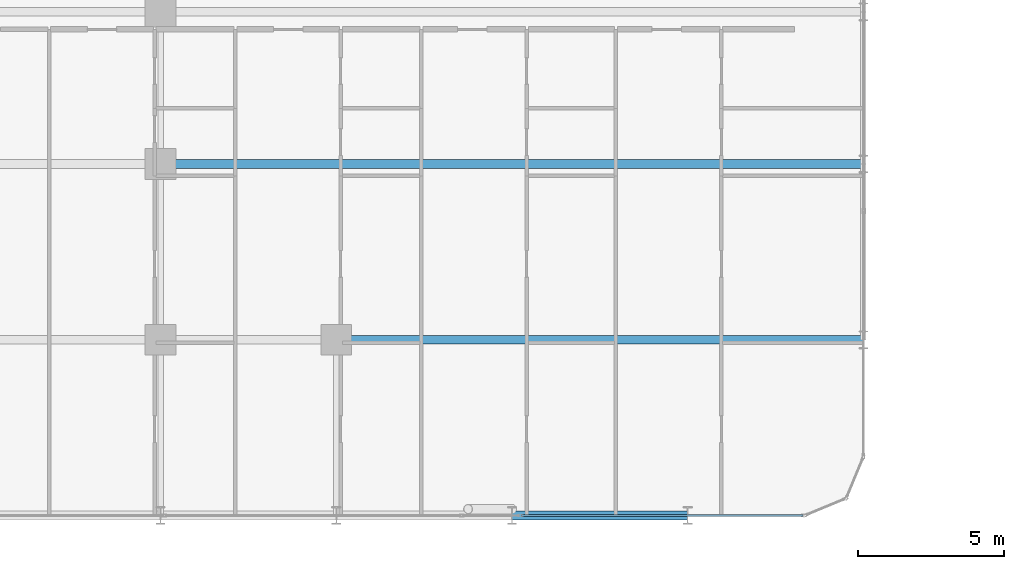
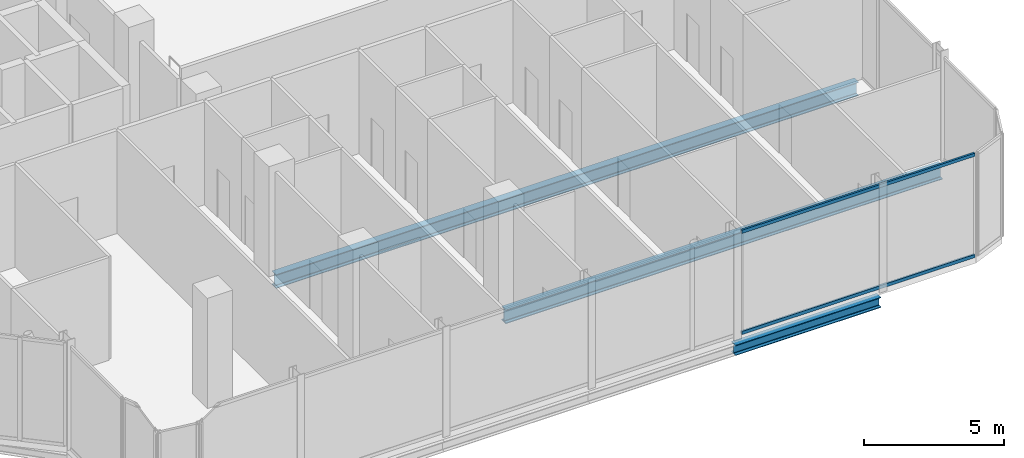
# One storey, part 9 of 29: 3 beams, 2 members, 1 element without a shape of its own.
"""IFC4 building model written with IfcOpenShell, lengths in metres."""

from ifc_helpers import new_model, si_unit, direction, frame, origin, origin_2d, place, context, subcontext, project, spatial, hollow_rectangle, i_section, extrude, material, layer, layer_set, material_profile, profile_set, type_object, element, aggregate, save


model = new_model("IFC4")

# Units and contexts
model_context = context("Model", 3, precision=1e-05, world=origin(), true_north=direction((0.0, 1.0)))
body_context = subcontext(model_context, "Body", "Model", "MODEL_VIEW")
ifc_project = project(units=[si_unit("LENGTHUNIT", "METRE"), si_unit("AREAUNIT", "SQUARE_METRE"), si_unit("VOLUMEUNIT", "CUBIC_METRE"), si_unit("PLANEANGLEUNIT", "RADIAN"), si_unit("MASSUNIT", "GRAM", prefix="KILO")], contexts=[model_context])

# Site, building, storey
site_placement = place(None, origin())
site = spatial("IfcSite", under=ifc_project, at=site_placement, CompositionType="ELEMENT")
building_placement = place(site_placement, origin())
building = spatial("IfcBuilding", under=site, at=building_placement, Name="Keshet Zoharim Tower", CompositionType="ELEMENT")
storey_placement = place(building_placement, frame((0.0, 0.0, 120.5)))
storey = spatial("IfcBuildingStorey", under=building, at=storey_placement, Name="L29", CompositionType="ELEMENT", Elevation=120.5)

# Beams
ifc_material_1 = material(Name="Steel S355", Category="steel")
ifc_material_profile_1 = material_profile(ifc_material_1, i_section(OverallWidth=0.300048828125, OverallDepth=0.60009765625, WebThickness=0.015380859375, FlangeThickness=0.030029296875, FilletRadius=0.027099609375, at=origin_2d()), Name="HEB600")
ifc_profile_set_1 = profile_set([ifc_material_profile_1], Name="Steel S355")
beam_type_1 = type_object("IfcBeamType", Name="BM-LNG-HB600", PredefinedType="BEAM", material=ifc_profile_set_1)
beam_1_placement = place(storey_placement, frame((39.0, 6.699951171875, -0.6201171875), z_axis=(1.0, 0.0, 0.0), x_axis=(0.0, 1.0, 0.0)))
element("IfcBeam", 1, at=beam_1_placement, inside=storey, type_object=beam_type_1, Name="L29 Primary Girder X-008", PredefinedType="BEAM", context=body_context, shape_type="SweptSolid", body=[
    extrude(i_section(OverallWidth=0.300048828125, OverallDepth=0.60009765625, WebThickness=0.015380859375, FlangeThickness=0.030029296875, FilletRadius=0.027099609375, at=origin_2d()), origin(), (0.0, 0.0, 1.0), 18.0),
])
beam_2_placement = place(storey_placement, frame((33.0, 12.699951171875, -0.6201171875), z_axis=(1.0, 0.0, 0.0), x_axis=(0.0, 1.0, 0.0)))
element("IfcBeam", 2, at=beam_2_placement, inside=storey, type_object=beam_type_1, Name="L29 Primary Girder X-010", PredefinedType="BEAM", context=body_context, shape_type="SweptSolid", body=[
    extrude(i_section(OverallWidth=0.300048828125, OverallDepth=0.60009765625, WebThickness=0.015380859375, FlangeThickness=0.030029296875, FilletRadius=0.027099609375, at=origin_2d()), origin(), (0.0, 0.0, 1.0), 24.0),
])
ifc_material_profile_2 = material_profile(ifc_material_1, i_section(OverallWidth=0.300048828125, OverallDepth=0.449951171875, WebThickness=0.013916015625, FlangeThickness=0.02587890625, FilletRadius=0.027099609375, at=origin_2d()), Name="HEB450")
ifc_profile_set_2 = profile_set([ifc_material_profile_2], Name="Steel S355")
beam_type_2 = type_object("IfcBeamType", Name="BM-WEB-HB450", PredefinedType="BEAM", material=ifc_profile_set_2)
beam_3_placement = place(storey_placement, frame((45.0, 0.699951171875, -0.544921875), z_axis=(1.0, 0.0, 0.0), x_axis=(0.0, 1.0, 0.0)))
element("IfcBeam", 3, at=beam_3_placement, inside=storey, type_object=beam_type_2, Name="L29 Primary Girder X-004", PredefinedType="BEAM", context=body_context, shape_type="SweptSolid", body=[
    extrude(i_section(OverallWidth=0.300048828125, OverallDepth=0.449951171875, WebThickness=0.013916015625, FlangeThickness=0.02587890625, FilletRadius=0.027099609375, at=origin_2d()), origin(), (0.0, 0.0, 1.0), 6.0),
])

# Curtain wall, members
ifc_material_2 = material(Name="Aluminium 6063-T6", Category="aluminium")
ifc_layer = layer(ifc_material_2, 0.14990234375)
ifc_layer_set = layer_set([ifc_layer], Name="Aluminium 6063-T6")
curtain_wall_type = type_object("IfcCurtainWallType", Name="CW-SYS-04", PredefinedType="NOTDEFINED", material=ifc_layer_set)
curtain_wall_placement = place(storey_placement, origin())
curtain_wall = element("IfcCurtainWall", 4, at=curtain_wall_placement, inside=storey, type_object=curtain_wall_type, Name="L29 Unitised Curtain Wall 03", PredefinedType="NOTDEFINED")
ifc_material_profile_3 = material_profile(ifc_material_2, hollow_rectangle(XDim=0.080078125, YDim=0.139892578125, WallThickness=0.00390625, at=origin_2d()), Name="TRN-80x140")
ifc_profile_set_3 = profile_set([ifc_material_profile_3], Name="Aluminium 6063-T6")
member_type = type_object("IfcMemberType", Name="CWT-T14", PredefinedType="USERDEFINED", material=ifc_profile_set_3)
member_1_placement = place(storey_placement, frame((54.929931640625, 0.699951171875, 0.034912109375), z_axis=(-1.0, 0.0, 0.0), x_axis=(0.0, -1.0, 0.0)))
member_1 = element("IfcMember", 5, at=member_1_placement, type_object=member_type, Name="CW-04 transom 1.1", ObjectType="TRANSOM", PredefinedType="USERDEFINED", context=body_context, shape_type="SweptSolid", body=[
    extrude(hollow_rectangle(XDim=0.080078125, YDim=0.139892578125, WallThickness=0.00390625, at=origin_2d()), origin(), (0.0, 0.0, 1.0), 9.6064453125),
])
member_2_placement = place(storey_placement, frame((54.929931640625, 0.699951171875, 4.445068359375), z_axis=(-1.0, 0.0, 0.0), x_axis=(0.0, -1.0, 0.0)))
member_2 = element("IfcMember", 6, at=member_2_placement, type_object=member_type, Name="CW-04 transom 1.2", ObjectType="TRANSOM", PredefinedType="USERDEFINED", context=body_context, shape_type="SweptSolid", body=[
    extrude(hollow_rectangle(XDim=0.080078125, YDim=0.139892578125, WallThickness=0.00390625, at=origin_2d()), origin(), (0.0, 0.0, 1.0), 9.6064453125),
])
aggregate(curtain_wall, [member_1, member_2])

save(model, "model.ifc")
